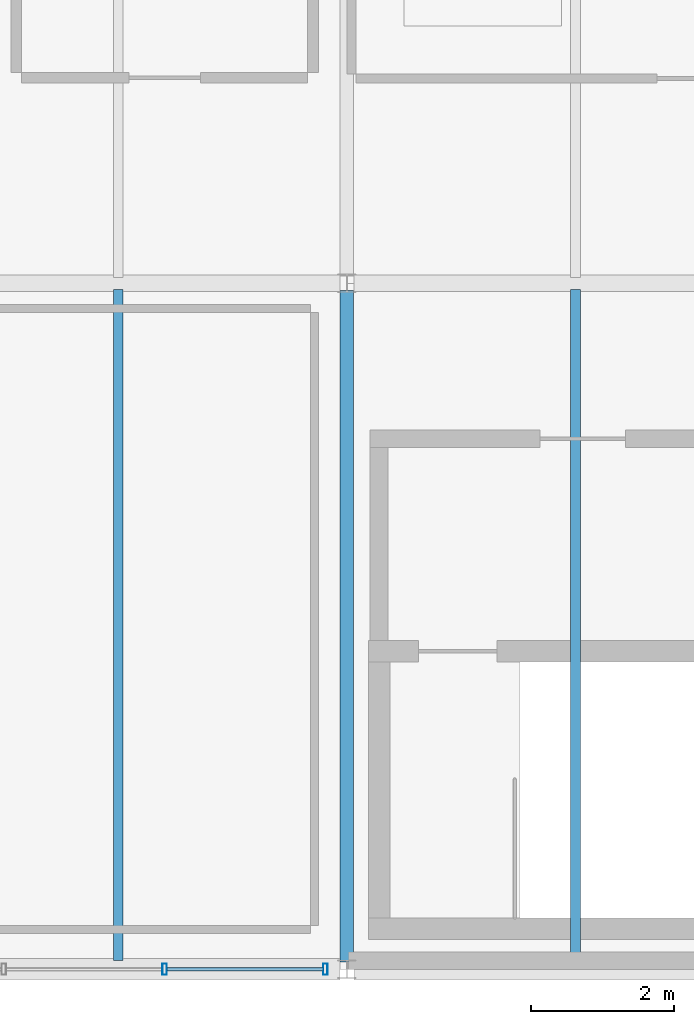
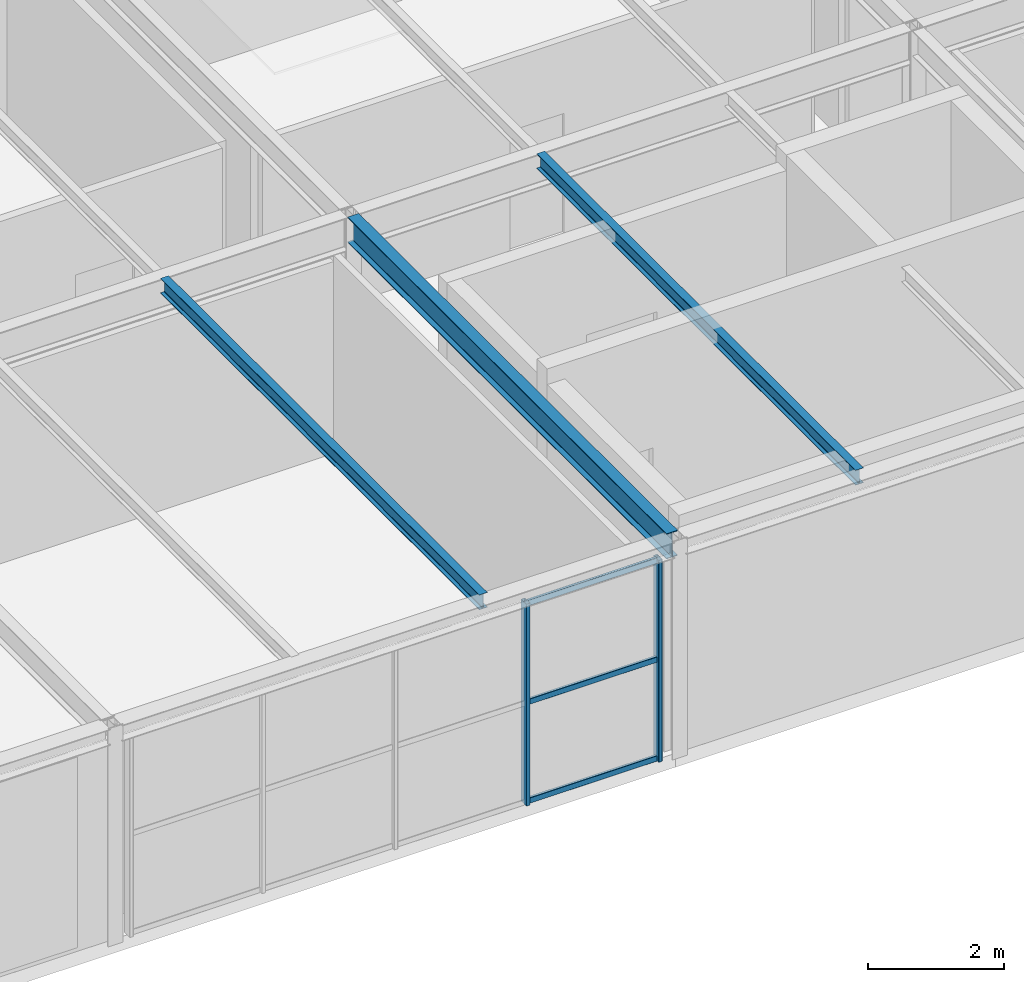
# One storey, part 9 of 33: 5 members, 3 beams, 1 element without a shape of its own.
"""IFC4 building model written with IfcOpenShell, lengths in metres."""

from ifc_helpers import new_model, si_unit, direction, frame, origin, origin_2d, place, context, subcontext, project, spatial, hollow_rectangle, i_section, extrude, material, material_profile, profile_set, type_object, element, aggregate, save


model = new_model("IFC4")

# Units and contexts
model_context = context("Model", 3, precision=1e-05, world=origin(), true_north=direction((0.0, 1.0)))
body_context = subcontext(model_context, "Body", "Model", "MODEL_VIEW")
ifc_project = project(units=[si_unit("LENGTHUNIT", "METRE"), si_unit("AREAUNIT", "SQUARE_METRE"), si_unit("VOLUMEUNIT", "CUBIC_METRE"), si_unit("PLANEANGLEUNIT", "RADIAN"), si_unit("MASSUNIT", "GRAM", prefix="KILO")], contexts=[model_context])

# Site, building, storey
site_placement = place(None, origin())
site = spatial("IfcSite", under=ifc_project, at=site_placement, CompositionType="ELEMENT")
building_placement = place(site_placement, origin())
building = spatial("IfcBuilding", under=site, at=building_placement, Name="Coralgate Yard Interchange", CompositionType="ELEMENT")
storey_placement = place(building_placement, frame((0.0, 0.0, 23.10009765625)))
storey = spatial("IfcBuildingStorey", under=building, at=storey_placement, Name="L05", CompositionType="ELEMENT", Elevation=23.10009765625)

# Beams
ifc_material_1 = material(Name="Structural steel S355J2", Category="steel")
ifc_material_profile_1 = material_profile(ifc_material_1, i_section(OverallWidth=0.1904296875, OverallDepth=0.45703125, WebThickness=0.009033203125, FlangeThickness=0.014404296875, FilletRadius=0.01025390625, at=origin_2d()), Name="UB 457x191x74")
ifc_profile_set_1 = profile_set([ifc_material_profile_1], Name="Structural steel S355J2")
beam_type_1 = type_object("IfcBeamType", Name="BM-SB-2", PredefinedType="BEAM", material=ifc_profile_set_1)
beam_placement = place(storey_placement, frame((19.199951171875, 0.10009765625, 3.69140625), z_axis=(0.0, 1.0, 0.0), x_axis=(-1.0, 0.0, 0.0)))
element("IfcBeam", 1, at=beam_placement, inside=storey, type_object=beam_type_1, Name="L05 primary grid girder X2 Y0-1", PredefinedType="BEAM", context=body_context, shape_type="SweptSolid", body=[
    extrude(i_section(OverallWidth=0.1904296875, OverallDepth=0.45703125, WebThickness=0.009033203125, FlangeThickness=0.014404296875, FilletRadius=0.01025390625, at=origin_2d()), origin(), (0.0, 0.0, 1.0), 9.39990234375),
])
ifc_material_profile_2 = material_profile(ifc_material_1, i_section(OverallWidth=0.135009765625, OverallDepth=0.27001953125, WebThickness=0.006591796875, FlangeThickness=0.01025390625, FilletRadius=0.014892578125, at=origin_2d()), Name="IPE 270")
ifc_profile_set_2 = profile_set([ifc_material_profile_2], Name="Structural steel S355J2")
beam_type_2 = type_object("IfcBeamType", Name="BM-SJ-3", PredefinedType="JOIST", material=ifc_profile_set_2)
for number, where, z_axis, x_axis, name in (
    (2, (16.0, 0.1201171875, 3.784912109375), (0.0, 1.0, 0.0), (-1.0, 0.0, 0.0), "L05 composite floor joist 1-0-2"),
    (3, (22.39990234375, 0.1201171875, 3.784912109375), (0.0, 1.0, 0.0), (-1.0, 0.0, 0.0), "L05 composite floor joist 2-0-1"),
):
    element("IfcBeam", number, at=place(storey_placement, frame(where, z_axis=z_axis, x_axis=x_axis)), inside=storey, type_object=beam_type_2, Name=name, PredefinedType="JOIST", context=body_context, shape_type="SweptSolid", body=[
        extrude(i_section(OverallWidth=0.135009765625, OverallDepth=0.27001953125, WebThickness=0.006591796875, FlangeThickness=0.01025390625, FilletRadius=0.014892578125, at=origin_2d()), origin(), (0.0, 0.0, 1.0), 9.395751953125),
    ])

# Curtain wall, members
ifc_material_2 = material(Name="Anodised coastal aluminium and solar-control low-E glass", Category="aluminium")
curtain_wall_type = type_object("IfcCurtainWallType", Name="CW-CW-L05-A", PredefinedType="NOTDEFINED", material=ifc_material_2)
curtain_wall_placement = place(storey_placement, origin())
curtain_wall = element("IfcCurtainWall", 4, at=curtain_wall_placement, inside=storey, type_object=curtain_wall_type, Name="L05 unitised curtain wall CW-L05-S-01-00", PredefinedType="NOTDEFINED")
ifc_material_3 = material(Name="Anodised coastal aluminium 6063-T6", Category="aluminium")
ifc_material_profile_3 = material_profile(ifc_material_3, hollow_rectangle(XDim=0.06494140625, YDim=0.159912109375, WallThickness=0.00390625, InnerFilletRadius=0.00390625, OuterFilletRadius=0.008056640625, at=origin_2d()), Name="ALU 65x160x4")
ifc_profile_set_3 = profile_set([ifc_material_profile_3], Name="Anodised coastal aluminium 6063-T6")
member_type_1 = type_object("IfcMemberType", Name="MB-MUL-160", PredefinedType="MULLION", material=ifc_profile_set_3)
member_1_placement = place(storey_placement, frame((18.89990234375, 0.0, 0.0), z_axis=(0.0, 0.0, 1.0), x_axis=(1.0, 0.0, 0.0)))
member_1 = element("IfcMember", 5, at=member_1_placement, type_object=member_type_1, Name="CW-L05-S-01-00 vertical mullion 1", PredefinedType="MULLION", context=body_context, shape_type="SweptSolid", body=[
    extrude(hollow_rectangle(XDim=0.06494140625, YDim=0.159912109375, WallThickness=0.00390625, InnerFilletRadius=0.00390625, OuterFilletRadius=0.008056640625, at=origin_2d()), origin(), (0.0, 0.0, 1.0), 3.6298828125),
])
member_2_placement = place(storey_placement, frame((16.64990234375, 0.0, 0.0), z_axis=(0.0, 0.0, 1.0), x_axis=(1.0, 0.0, 0.0)))
member_2 = element("IfcMember", 6, at=member_2_placement, type_object=member_type_1, Name="CW-L05-S-01-00 vertical mullion 2", PredefinedType="MULLION", context=body_context, shape_type="SweptSolid", body=[
    extrude(hollow_rectangle(XDim=0.06494140625, YDim=0.159912109375, WallThickness=0.00390625, InnerFilletRadius=0.00390625, OuterFilletRadius=0.008056640625, at=origin_2d()), origin(), (0.0, 0.0, 1.0), 3.6298828125),
])
ifc_material_profile_4 = material_profile(ifc_material_3, hollow_rectangle(XDim=0.050048828125, YDim=0.10009765625, WallThickness=0.0029296875, InnerFilletRadius=0.0029296875, OuterFilletRadius=0.006103515625, at=origin_2d()), Name="ALU 50x100x3")
ifc_profile_set_4 = profile_set([ifc_material_profile_4], Name="Anodised coastal aluminium 6063-T6")
member_type_2 = type_object("IfcMemberType", Name="MB-TRN-100", PredefinedType="USERDEFINED", material=ifc_profile_set_4)
member_3_placement = place(storey_placement, frame((18.8701171875, 0.0, 0.034912109375), z_axis=(-1.0, 0.0, 0.0), x_axis=(0.0, -1.0, 0.0)))
member_3 = element("IfcMember", 7, at=member_3_placement, type_object=member_type_2, Name="CW-L05-S-01-00 horizontal transom 1-1", ObjectType="TRANSOM", PredefinedType="USERDEFINED", context=body_context, shape_type="SweptSolid", body=[
    extrude(hollow_rectangle(XDim=0.050048828125, YDim=0.10009765625, WallThickness=0.0029296875, InnerFilletRadius=0.0029296875, OuterFilletRadius=0.006103515625, at=origin_2d()), origin(), (0.0, 0.0, 1.0), 2.190185546875),
])
member_4_placement = place(storey_placement, frame((18.8701171875, 0.0, 1.81494140625), z_axis=(-1.0, 0.0, 0.0), x_axis=(0.0, -1.0, 0.0)))
member_4 = element("IfcMember", 8, at=member_4_placement, type_object=member_type_2, Name="CW-L05-S-01-00 horizontal transom 1-2", ObjectType="TRANSOM", PredefinedType="USERDEFINED", context=body_context, shape_type="SweptSolid", body=[
    extrude(hollow_rectangle(XDim=0.050048828125, YDim=0.10009765625, WallThickness=0.0029296875, InnerFilletRadius=0.0029296875, OuterFilletRadius=0.006103515625, at=origin_2d()), origin(), (0.0, 0.0, 1.0), 2.190185546875),
])
member_5_placement = place(storey_placement, frame((18.8701171875, 0.0, 3.594970703125), z_axis=(-1.0, 0.0, 0.0), x_axis=(0.0, -1.0, 0.0)))
member_5 = element("IfcMember", 9, at=member_5_placement, type_object=member_type_2, Name="CW-L05-S-01-00 horizontal transom 1-3", ObjectType="TRANSOM", PredefinedType="USERDEFINED", context=body_context, shape_type="SweptSolid", body=[
    extrude(hollow_rectangle(XDim=0.050048828125, YDim=0.10009765625, WallThickness=0.0029296875, InnerFilletRadius=0.0029296875, OuterFilletRadius=0.006103515625, at=origin_2d()), origin(), (0.0, 0.0, 1.0), 2.190185546875),
])
aggregate(curtain_wall, [member_1, member_2, member_3, member_4, member_5])

save(model, "model.ifc")
